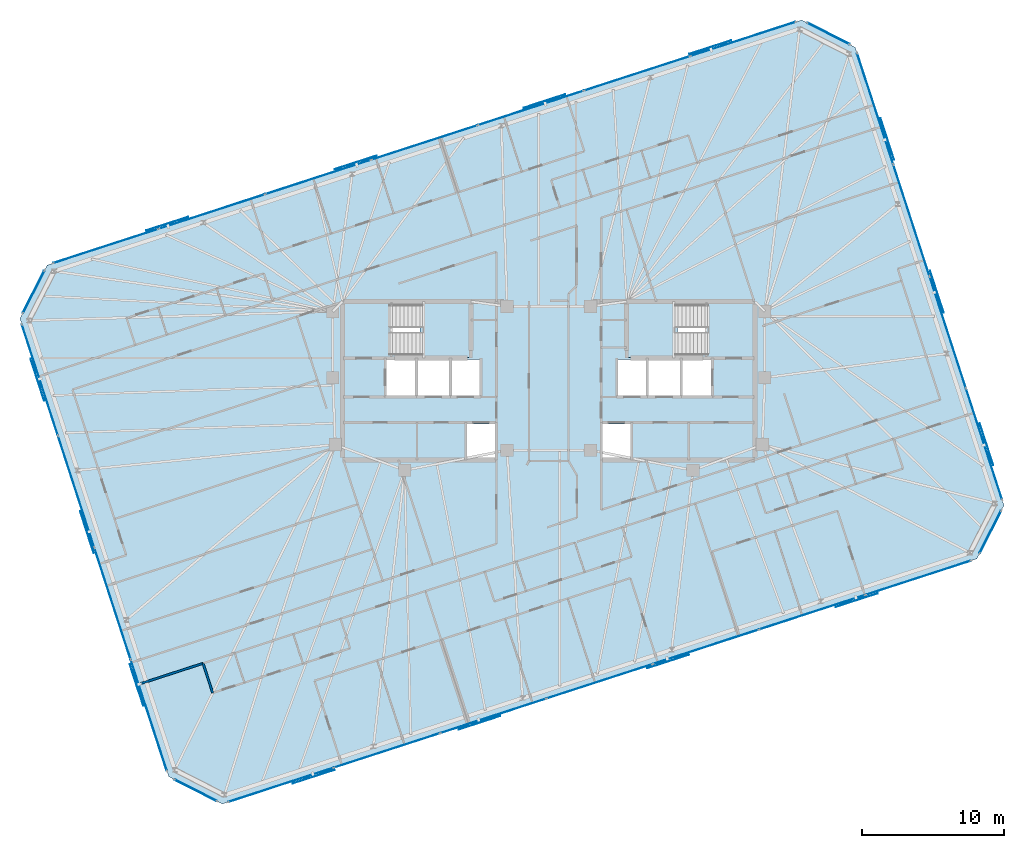
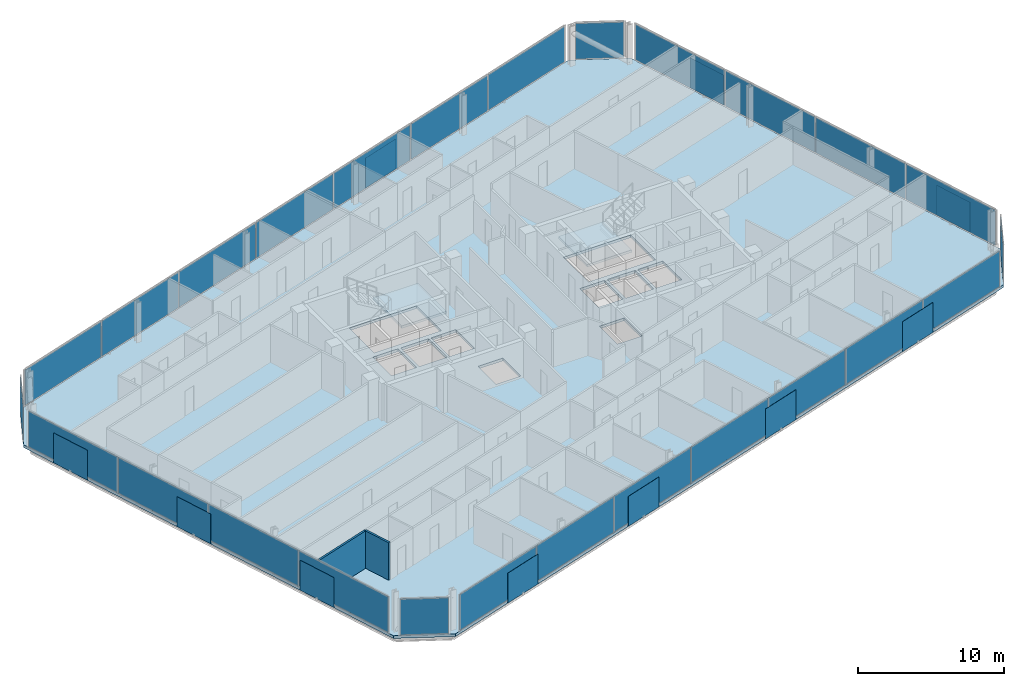
# One storey, part 12 of 20: 40 plates, 3 slabs, 2 walls, 10 elements without a shape of their own.
"""IFC4 building model written with IfcOpenShell, lengths in metres."""

from ifc_helpers import new_model, si_unit, direction, frame, frame_2d, origin, origin_2d, place, context, subcontext, project, spatial, polyline, rectangle, outline, extrude, material, layer, layer_set, type_object, element, aggregate, save


model = new_model("IFC4")

# Units and contexts
model_context = context("Model", 3, precision=1e-05, world=origin(), true_north=direction((0.0, 1.0)))
body_context = subcontext(model_context, "Body", "Model", "MODEL_VIEW")
ifc_project = project(units=[si_unit("LENGTHUNIT", "METRE"), si_unit("AREAUNIT", "SQUARE_METRE"), si_unit("VOLUMEUNIT", "CUBIC_METRE"), si_unit("PLANEANGLEUNIT", "RADIAN"), si_unit("MASSUNIT", "GRAM", prefix="KILO")], contexts=[model_context])

# Site, building, storey
site_placement = place(None, origin())
site = spatial("IfcSite", under=ifc_project, at=site_placement, CompositionType="ELEMENT")
building_placement = place(site_placement, origin())
building = spatial("IfcBuilding", under=site, at=building_placement, Name="Menara Jurai Vektor", CompositionType="ELEMENT")
storey_placement = place(building_placement, frame((0.0, 0.0, 227.64990234375)))
storey = spatial("IfcBuildingStorey", under=building, at=storey_placement, Name="L60", CompositionType="ELEMENT", Elevation=227.64990234375)

# Curtain wall, plates
ifc_material_1 = material(Name="Anodised Pale Aluminium & Low-E Double Glazing", Category="aluminium")
curtain_wall_type = type_object("IfcCurtainWallType", Name="CW-BLK4", PredefinedType="NOTDEFINED", material=ifc_material_1)
curtain_wall_1_placement = place(storey_placement, origin())
curtain_wall_1 = element("IfcCurtainWall", 1, at=curtain_wall_1_placement, inside=storey, type_object=curtain_wall_type, Name="Unitised Curtain Wall L60 F01", PredefinedType="NOTDEFINED")
ifc_material_2 = material(Name="Low-E Solar-Control Double Glazed Unit", Category="glass")
ifc_layer_1 = layer(ifc_material_2, 0.030029296875)
ifc_layer_set_1 = layer_set([ifc_layer_1], Name="Low-E Solar-Control Double Glazed Unit")
plate_type_1 = type_object("IfcPlateType", Name="CW-BLK4-PNL", PredefinedType="CURTAIN_PANEL", material=ifc_layer_set_1)
plate_1_placement = place(storey_placement, frame((-18.916259765625, -28.53076171875, 0.080078125), z_axis=(0.0, 0.0, 1.0), x_axis=(0.951056402641, 0.309017344167, 0.0)))
plate_1 = element("IfcPlate", 2, at=plate_1_placement, type_object=plate_type_1, Name="CW-04 panel 1.1", PredefinedType="CURTAIN_PANEL", context=body_context, shape_type="SweptSolid", body=[
    extrude(rectangle(XDim=7.771484375, YDim=0.030029296875, at=origin_2d()), origin(), (0.0, 0.0, 1.0), 2.965087890625),
])
plate_2_placement = place(storey_placement, frame((-11.429931640625, -26.098388671875, 0.080078125), z_axis=(0.0, 0.0, 1.0), x_axis=(0.951056402641, 0.309017344167, 0.0)))
plate_2 = element("IfcPlate", 3, at=plate_2_placement, type_object=plate_type_1, Name="CW-04 panel 2.1", PredefinedType="CURTAIN_PANEL", context=body_context, shape_type="SweptSolid", body=[
    extrude(rectangle(XDim=7.8115234375, YDim=0.030029296875, at=origin_2d()), origin(), (0.0, 0.0, 1.0), 2.965087890625),
])
plate_3_placement = place(storey_placement, frame((-3.9248046875, -23.65966796875, 0.080078125), z_axis=(0.0, 0.0, 1.0), x_axis=(0.951056402641, 0.309017344167, 0.0)))
plate_3 = element("IfcPlate", 4, at=plate_3_placement, type_object=plate_type_1, Name="CW-04 panel 3.1", PredefinedType="CURTAIN_PANEL", context=body_context, shape_type="SweptSolid", body=[
    extrude(rectangle(XDim=7.8115234375, YDim=0.030029296875, at=origin_2d()), origin(), (0.0, 0.0, 1.0), 2.965087890625),
])
plate_4_placement = place(storey_placement, frame((3.580322265625, -21.22119140625, 0.080078125), z_axis=(0.0, 0.0, 1.0), x_axis=(0.951056402641, 0.309017344167, 0.0)))
plate_4 = element("IfcPlate", 5, at=plate_4_placement, type_object=plate_type_1, Name="CW-04 panel 4.1", PredefinedType="CURTAIN_PANEL", context=body_context, shape_type="SweptSolid", body=[
    extrude(rectangle(XDim=7.8115234375, YDim=0.030029296875, at=origin_2d()), origin(), (0.0, 0.0, 1.0), 2.965087890625),
])
plate_5_placement = place(storey_placement, frame((11.08544921875, -18.782470703125, 0.080078125), z_axis=(0.0, 0.0, 1.0), x_axis=(0.951056402641, 0.309017344167, 0.0)))
plate_5 = element("IfcPlate", 6, at=plate_5_placement, type_object=plate_type_1, Name="CW-04 panel 5.1", PredefinedType="CURTAIN_PANEL", context=body_context, shape_type="SweptSolid", body=[
    extrude(rectangle(XDim=7.8115234375, YDim=0.030029296875, at=origin_2d()), origin(), (0.0, 0.0, 1.0), 2.965087890625),
])
plate_6_placement = place(storey_placement, frame((18.5908203125, -16.343994140625, 0.080078125), z_axis=(0.0, 0.0, 1.0), x_axis=(0.951056402641, 0.309017344167, 0.0)))
plate_6 = element("IfcPlate", 7, at=plate_6_placement, type_object=plate_type_1, Name="CW-04 panel 6.1", PredefinedType="CURTAIN_PANEL", context=body_context, shape_type="SweptSolid", body=[
    extrude(rectangle(XDim=7.8115234375, YDim=0.030029296875, at=origin_2d()), origin(), (0.0, 0.0, 1.0), 2.965087890625),
])
plate_7_placement = place(storey_placement, frame((26.076904296875, -13.91162109375, 0.080078125), z_axis=(0.0, 0.0, 1.0), x_axis=(0.951056402641, 0.309017344167, 0.0)))
plate_7 = element("IfcPlate", 8, at=plate_7_placement, type_object=plate_type_1, Name="CW-04 panel 7.1", PredefinedType="CURTAIN_PANEL", context=body_context, shape_type="SweptSolid", body=[
    extrude(rectangle(XDim=7.771484375, YDim=0.030029296875, at=origin_2d()), origin(), (0.0, 0.0, 1.0), 2.965087890625),
])
aggregate(curtain_wall_1, [plate_1, plate_2, plate_3, plate_4, plate_5, plate_6, plate_7])

curtain_wall_2_placement = place(storey_placement, origin())
curtain_wall_2 = element("IfcCurtainWall", 9, at=curtain_wall_2_placement, inside=storey, type_object=curtain_wall_type, Name="Unitised Curtain Wall L60 F03", PredefinedType="NOTDEFINED")
plate_8_placement = place(storey_placement, frame((30.728515625, -4.456298828125, 0.080078125), z_axis=(0.0, 0.0, 1.0), x_axis=(-0.309016481464, 0.95105668295, 0.0)))
plate_8 = element("IfcPlate", 10, at=plate_8_placement, type_object=plate_type_1, Name="CW-04 panel 1.1", PredefinedType="CURTAIN_PANEL", context=body_context, shape_type="SweptSolid", body=[
    extrude(rectangle(XDim=8.18994140625, YDim=0.030029296875, at=origin_2d()), origin(), (0.0, 0.0, 1.0), 2.965087890625),
])
plate_9_placement = place(storey_placement, frame((28.166748046875, 3.427978515625, 0.080078125), z_axis=(0.0, 0.0, 1.0), x_axis=(-0.309016481464, 0.95105668295, 0.0)))
plate_9 = element("IfcPlate", 11, at=plate_9_placement, type_object=plate_type_1, Name="CW-04 panel 2.1", PredefinedType="CURTAIN_PANEL", context=body_context, shape_type="SweptSolid", body=[
    extrude(rectangle(XDim=8.22998046875, YDim=0.030029296875, at=origin_2d()), origin(), (0.0, 0.0, 1.0), 2.965087890625),
])
plate_10_placement = place(storey_placement, frame((25.598876953125, 11.331298828125, 0.080078125), z_axis=(0.0, 0.0, 1.0), x_axis=(-0.309016481464, 0.95105668295, 0.0)))
plate_10 = element("IfcPlate", 12, at=plate_10_placement, type_object=plate_type_1, Name="CW-04 panel 3.1", PredefinedType="CURTAIN_PANEL", context=body_context, shape_type="SweptSolid", body=[
    extrude(rectangle(XDim=8.22998046875, YDim=0.030029296875, at=origin_2d()), origin(), (0.0, 0.0, 1.0), 2.965087890625),
])
plate_11_placement = place(storey_placement, frame((23.037109375, 19.21533203125, 0.080078125), z_axis=(0.0, 0.0, 1.0), x_axis=(-0.309016481464, 0.95105668295, 0.0)))
plate_11 = element("IfcPlate", 13, at=plate_11_placement, type_object=plate_type_1, Name="CW-04 panel 4.1", PredefinedType="CURTAIN_PANEL", context=body_context, shape_type="SweptSolid", body=[
    extrude(rectangle(XDim=8.18994140625, YDim=0.030029296875, at=origin_2d()), origin(), (0.0, 0.0, 1.0), 2.965087890625),
])
aggregate(curtain_wall_2, [plate_8, plate_9, plate_10, plate_11])

curtain_wall_3_placement = place(storey_placement, origin())
curtain_wall_3 = element("IfcCurtainWall", 14, at=curtain_wall_3_placement, inside=storey, type_object=curtain_wall_type, Name="Unitised Curtain Wall L60 F05", PredefinedType="NOTDEFINED")
plate_12_placement = place(storey_placement, frame((13.716064453125, 24.130615234375, 0.080078125), z_axis=(0.0, 0.0, 1.0), x_axis=(-0.951056402641, -0.309017344167, 0.0)))
plate_12 = element("IfcPlate", 15, at=plate_12_placement, type_object=plate_type_1, Name="CW-04 panel 1.1", PredefinedType="CURTAIN_PANEL", context=body_context, shape_type="SweptSolid", body=[
    extrude(rectangle(XDim=7.771484375, YDim=0.030029296875, at=origin_2d()), origin(), (0.0, 0.0, 1.0), 2.965087890625),
])
plate_13_placement = place(storey_placement, frame((6.22998046875, 21.6982421875, 0.080078125), z_axis=(0.0, 0.0, 1.0), x_axis=(-0.951056402641, -0.309017344167, 0.0)))
plate_13 = element("IfcPlate", 16, at=plate_13_placement, type_object=plate_type_1, Name="CW-04 panel 2.1", PredefinedType="CURTAIN_PANEL", context=body_context, shape_type="SweptSolid", body=[
    extrude(rectangle(XDim=7.8115234375, YDim=0.030029296875, at=origin_2d()), origin(), (0.0, 0.0, 1.0), 2.965087890625),
])
plate_14_placement = place(storey_placement, frame((-1.275146484375, 19.259765625, 0.080078125), z_axis=(0.0, 0.0, 1.0), x_axis=(-0.951056402641, -0.309017344167, 0.0)))
plate_14 = element("IfcPlate", 17, at=plate_14_placement, type_object=plate_type_1, Name="CW-04 panel 3.1", PredefinedType="CURTAIN_PANEL", context=body_context, shape_type="SweptSolid", body=[
    extrude(rectangle(XDim=7.8115234375, YDim=0.030029296875, at=origin_2d()), origin(), (0.0, 0.0, 1.0), 2.965087890625),
])
plate_15_placement = place(storey_placement, frame((-8.7802734375, 16.821044921875, 0.080078125), z_axis=(0.0, 0.0, 1.0), x_axis=(-0.951056402641, -0.309017344167, 0.0)))
plate_15 = element("IfcPlate", 18, at=plate_15_placement, type_object=plate_type_1, Name="CW-04 panel 4.1", PredefinedType="CURTAIN_PANEL", context=body_context, shape_type="SweptSolid", body=[
    extrude(rectangle(XDim=7.8115234375, YDim=0.030029296875, at=origin_2d()), origin(), (0.0, 0.0, 1.0), 2.965087890625),
])
plate_16_placement = place(storey_placement, frame((-16.28564453125, 14.382568359375, 0.080078125), z_axis=(0.0, 0.0, 1.0), x_axis=(-0.951056402641, -0.309017344167, 0.0)))
plate_16 = element("IfcPlate", 19, at=plate_16_placement, type_object=plate_type_1, Name="CW-04 panel 5.1", PredefinedType="CURTAIN_PANEL", context=body_context, shape_type="SweptSolid", body=[
    extrude(rectangle(XDim=7.8115234375, YDim=0.030029296875, at=origin_2d()), origin(), (0.0, 0.0, 1.0), 2.965087890625),
])
plate_17_placement = place(storey_placement, frame((-23.790771484375, 11.944091796875, 0.080078125), z_axis=(0.0, 0.0, 1.0), x_axis=(-0.951056402641, -0.309017344167, 0.0)))
plate_17 = element("IfcPlate", 20, at=plate_17_placement, type_object=plate_type_1, Name="CW-04 panel 6.1", PredefinedType="CURTAIN_PANEL", context=body_context, shape_type="SweptSolid", body=[
    extrude(rectangle(XDim=7.8115234375, YDim=0.030029296875, at=origin_2d()), origin(), (0.0, 0.0, 1.0), 2.965087890625),
])
plate_18_placement = place(storey_placement, frame((-31.27685546875, 9.511474609375, 0.080078125), z_axis=(0.0, 0.0, 1.0), x_axis=(-0.951056402641, -0.309017344167, 0.0)))
plate_18 = element("IfcPlate", 21, at=plate_18_placement, type_object=plate_type_1, Name="CW-04 panel 7.1", PredefinedType="CURTAIN_PANEL", context=body_context, shape_type="SweptSolid", body=[
    extrude(rectangle(XDim=7.771484375, YDim=0.030029296875, at=origin_2d()), origin(), (0.0, 0.0, 1.0), 2.965087890625),
])
aggregate(curtain_wall_3, [plate_12, plate_13, plate_14, plate_15, plate_16, plate_17, plate_18])

curtain_wall_4_placement = place(storey_placement, origin())
curtain_wall_4 = element("IfcCurtainWall", 22, at=curtain_wall_4_placement, inside=storey, type_object=curtain_wall_type, Name="Unitised Curtain Wall L60 F07", PredefinedType="NOTDEFINED")
plate_19_placement = place(storey_placement, frame((-35.928466796875, 0.056396484375, 0.080078125), z_axis=(0.0, 0.0, 1.0), x_axis=(0.309016481464, -0.95105668295, 0.0)))
plate_19 = element("IfcPlate", 23, at=plate_19_placement, type_object=plate_type_1, Name="CW-04 panel 1.1", PredefinedType="CURTAIN_PANEL", context=body_context, shape_type="SweptSolid", body=[
    extrude(rectangle(XDim=8.18994140625, YDim=0.030029296875, at=origin_2d()), origin(), (0.0, 0.0, 1.0), 2.965087890625),
])
plate_20_placement = place(storey_placement, frame((-33.36669921875, -7.827880859375, 0.080078125), z_axis=(0.0, 0.0, 1.0), x_axis=(0.309016481464, -0.95105668295, 0.0)))
plate_20 = element("IfcPlate", 24, at=plate_20_placement, type_object=plate_type_1, Name="CW-04 panel 2.1", PredefinedType="CURTAIN_PANEL", context=body_context, shape_type="SweptSolid", body=[
    extrude(rectangle(XDim=8.22998046875, YDim=0.030029296875, at=origin_2d()), origin(), (0.0, 0.0, 1.0), 2.965087890625),
])
plate_21_placement = place(storey_placement, frame((-30.798828125, -15.731201171875, 0.080078125), z_axis=(0.0, 0.0, 1.0), x_axis=(0.309016481464, -0.95105668295, 0.0)))
plate_21 = element("IfcPlate", 25, at=plate_21_placement, type_object=plate_type_1, Name="CW-04 panel 3.1", PredefinedType="CURTAIN_PANEL", context=body_context, shape_type="SweptSolid", body=[
    extrude(rectangle(XDim=8.22998046875, YDim=0.030029296875, at=origin_2d()), origin(), (0.0, 0.0, 1.0), 2.965087890625),
])
plate_22_placement = place(storey_placement, frame((-28.237060546875, -23.615478515625, 0.080078125), z_axis=(0.0, 0.0, 1.0), x_axis=(0.309016481464, -0.95105668295, 0.0)))
plate_22 = element("IfcPlate", 26, at=plate_22_placement, type_object=plate_type_1, Name="CW-04 panel 4.1", PredefinedType="CURTAIN_PANEL", context=body_context, shape_type="SweptSolid", body=[
    extrude(rectangle(XDim=8.18994140625, YDim=0.030029296875, at=origin_2d()), origin(), (0.0, 0.0, 1.0), 2.965087890625),
])
aggregate(curtain_wall_4, [plate_19, plate_20, plate_21, plate_22])

# Curtain wall, plate
curtain_wall_5_placement = place(storey_placement, origin())
curtain_wall_5 = element("IfcCurtainWall", 27, at=curtain_wall_5_placement, inside=storey, type_object=curtain_wall_type, Name="Unitised Curtain Wall L60 F02", PredefinedType="NOTDEFINED")
ifc_material_3 = material(Name="Insulated Pale Aluminium Spandrel Panel", Category="aluminium")
ifc_layer_2 = layer(ifc_material_3, 0.06005859375)
ifc_layer_set_2 = layer_set([ifc_layer_2], Name="Insulated Pale Aluminium Spandrel Panel")
plate_type_2 = type_object("IfcPlateType", Name="CW-PNL-SP", PredefinedType="CURTAIN_PANEL", material=ifc_layer_set_2)
plate_23_placement = place(storey_placement, frame((31.1728515625, -10.678466796875, 0.080078125), z_axis=(0.0, 0.0, 1.0), x_axis=(0.453988579828, 0.89100750243, 0.0)))
plate_23 = element("IfcPlate", 28, at=plate_23_placement, type_object=plate_type_2, Name="CW-04 panel 1.1", PredefinedType="CURTAIN_PANEL", context=body_context, shape_type="SweptSolid", body=[
    extrude(rectangle(XDim=3.32275390625, YDim=0.06005859375, at=origin_2d()), origin(), (0.0, 0.0, 1.0), 2.965087890625),
])
aggregate(curtain_wall_5, [plate_23])

curtain_wall_6_placement = place(storey_placement, origin())
curtain_wall_6 = element("IfcCurtainWall", 29, at=curtain_wall_6_placement, inside=storey, type_object=curtain_wall_type, Name="Unitised Curtain Wall L60 F04", PredefinedType="NOTDEFINED")
plate_24_placement = place(storey_placement, frame((19.7392578125, 24.510498046875, 0.080078125), z_axis=(0.0, 0.0, 1.0), x_axis=(-0.89100750243, 0.453988579828, 0.0)))
plate_24 = element("IfcPlate", 30, at=plate_24_placement, type_object=plate_type_2, Name="CW-04 panel 1.1", PredefinedType="CURTAIN_PANEL", context=body_context, shape_type="SweptSolid", body=[
    extrude(rectangle(XDim=3.32275390625, YDim=0.06005859375, at=origin_2d()), origin(), (0.0, 0.0, 1.0), 2.965087890625),
])
aggregate(curtain_wall_6, [plate_24])

curtain_wall_7_placement = place(storey_placement, origin())
curtain_wall_7 = element("IfcCurtainWall", 31, at=curtain_wall_7_placement, inside=storey, type_object=curtain_wall_type, Name="Unitised Curtain Wall L60 F06", PredefinedType="NOTDEFINED")
plate_25_placement = place(storey_placement, frame((-36.373046875, 6.278564453125, 0.080078125), z_axis=(0.0, 0.0, 1.0), x_axis=(-0.453988579828, -0.89100750243, 0.0)))
plate_25 = element("IfcPlate", 32, at=plate_25_placement, type_object=plate_type_2, Name="CW-04 panel 1.1", PredefinedType="CURTAIN_PANEL", context=body_context, shape_type="SweptSolid", body=[
    extrude(rectangle(XDim=3.32275390625, YDim=0.06005859375, at=origin_2d()), origin(), (0.0, 0.0, 1.0), 2.965087890625),
])
aggregate(curtain_wall_7, [plate_25])

curtain_wall_8_placement = place(storey_placement, origin())
curtain_wall_8 = element("IfcCurtainWall", 33, at=curtain_wall_8_placement, inside=storey, type_object=curtain_wall_type, Name="Unitised Curtain Wall L60 F08", PredefinedType="NOTDEFINED")
plate_26_placement = place(storey_placement, frame((-24.939453125, -28.91064453125, 0.080078125), z_axis=(0.0, 0.0, 1.0), x_axis=(0.89100750243, -0.453988579828, 0.0)))
plate_26 = element("IfcPlate", 34, at=plate_26_placement, type_object=plate_type_2, Name="CW-04 panel 1.1", PredefinedType="CURTAIN_PANEL", context=body_context, shape_type="SweptSolid", body=[
    extrude(rectangle(XDim=3.32275390625, YDim=0.06005859375, at=origin_2d()), origin(), (0.0, 0.0, 1.0), 2.965087890625),
])
aggregate(curtain_wall_8, [plate_26])

# Plates
ifc_material_4 = material(Name="Anodised Pale Aluminium Perforated Screen", Category="aluminium")
ifc_layer_3 = layer(ifc_material_4, 0.02197265625)
ifc_layer_set_3 = layer_set([ifc_layer_3], Name="Anodised Pale Aluminium Perforated Screen")
plate_type_3 = type_object("IfcPlateType", Name="ENV-PLT-SCREEN-HI", PredefinedType="USERDEFINED", material=ifc_layer_set_3)
for number, where, z_axis, x_axis, name in (
    (35, (-16.608642578125, -27.94921875, -0.0498046875), (0.0, 0.0, 1.0), (0.951056516295, 0.309016994375, 0.0), "Perforated Pale-Metal Solar Screen L60-S01"),
    (36, (-4.8916015625, -24.14208984375, -0.0498046875), (0.0, 0.0, 1.0), (0.951056516295, 0.309016994375, 0.0), "Perforated Pale-Metal Solar Screen L60-S02"),
    (37, (8.423095703125, -19.81591796875, -0.0498046875), (0.0, 0.0, 1.0), (0.951056516295, 0.309016994375, 0.0), "Perforated Pale-Metal Solar Screen L60-S03"),
    (38, (21.73779296875, -15.48974609375, -0.0498046875), (0.0, 0.0, 1.0), (0.951056516295, 0.309016994375, 0.0), "Perforated Pale-Metal Solar Screen L60-S04"),
    (39, (30.90478515625, -4.4814453125, -0.0498046875), (0.0, 0.0, 1.0), (-0.309016994375, 0.951056516295, 0.0), "Perforated Pale-Metal Solar Screen L60-S05"),
    (40, (27.402587890625, 6.297119140625, -0.0498046875), (0.0, 0.0, 1.0), (-0.309016994375, 0.951056516295, 0.0), "Perforated Pale-Metal Solar Screen L60-S06"),
    (41, (23.900390625, 17.075927734375, -0.0498046875), (0.0, 0.0, 1.0), (-0.309016994375, 0.951056516295, 0.0), "Perforated Pale-Metal Solar Screen L60-S07"),
    (42, (11.40869140625, 23.54931640625, -0.0498046875), (0.0, 0.0, 1.0), (-0.951056516295, -0.309016994375, 0.0), "Perforated Pale-Metal Solar Screen L60-S08"),
    (43, (-0.308349609375, 19.7421875, -0.0498046875), (0.0, 0.0, 1.0), (-0.951056516295, -0.309016994375, 0.0), "Perforated Pale-Metal Solar Screen L60-S09"),
    (44, (-13.623046875, 15.416015625, -0.0498046875), (0.0, 0.0, 1.0), (-0.951056516295, -0.309016994375, 0.0), "Perforated Pale-Metal Solar Screen L60-S10"),
    (45, (-26.93798828125, 11.089599609375, -0.0498046875), (0.0, 0.0, 1.0), (-0.951056516295, -0.309016994375, 0.0), "Perforated Pale-Metal Solar Screen L60-S11"),
    (46, (-36.104736328125, 0.081298828125, -0.0498046875), (0.0, 0.0, 1.0), (0.309016994375, -0.951056516295, 0.0), "Perforated Pale-Metal Solar Screen L60-S12"),
    (47, (-32.6025390625, -10.697265625, -0.0498046875), (0.0, 0.0, 1.0), (0.309016994375, -0.951056516295, 0.0), "Perforated Pale-Metal Solar Screen L60-S13"),
    (48, (-29.1005859375, -21.475830078125, -0.0498046875), (0.0, 0.0, 1.0), (0.309016994375, -0.951056516295, 0.0), "Perforated Pale-Metal Solar Screen L60-S14"),
):
    element("IfcPlate", number, at=place(storey_placement, frame(where, z_axis=z_axis, x_axis=x_axis)), inside=storey, type_object=plate_type_3, Name=name, ObjectType="SCREEN", PredefinedType="USERDEFINED", context=body_context, shape_type="SweptSolid", body=[
        extrude(rectangle(XDim=3.10009765625, YDim=0.02197265625, at=origin_2d()), origin(), (0.0, 0.0, 1.0), 2.5),
    ])

# Stair, slab
ifc_material_5 = material(Name="Concrete C40/50", Category="concrete")
stair_type = type_object("IfcStairType", Name="STAIR-DOGLEG-1500", PredefinedType="HALF_TURN_STAIR", material=ifc_material_5)
stair_1_placement = place(storey_placement, origin())
stair_1 = element("IfcStair", 49, at=stair_1_placement, inside=storey, type_object=stair_type, Name="Protected Exit Stair ST1 L60", PredefinedType="HALF_TURN_STAIR")
ifc_layer_4 = layer(ifc_material_5, 0.199951171875)
ifc_layer_set_4 = layer_set([ifc_layer_4], Name="Concrete C40/50")
slab_type_1 = type_object("IfcSlabType", Name="STAIR-LANDING-200", PredefinedType="LANDING", material=ifc_layer_set_4)
slab_1_placement = place(storey_placement, frame((0.0, 0.0, 1.47509765625)))
slab_1 = element("IfcSlab", 50, at=slab_1_placement, type_object=slab_type_1, Name="ST1 landing 1", PredefinedType="LANDING", context=body_context, shape_type="SweptSolid", body=[
    extrude(outline(polyline([(-9.080078125, 1.64990234375), (-5.550048828125, 1.64990234375), (-5.550048828125, 5.550048828125), (-9.080078125, 5.550048828125), (-9.080078125, 1.64990234375)])), origin(), (0.0, 0.0, 1.0), 0.199951171875),
])
aggregate(stair_1, [slab_1])

stair_2_placement = place(storey_placement, origin())
stair_2 = element("IfcStair", 51, at=stair_2_placement, inside=storey, type_object=stair_type, Name="Protected Exit Stair ST2 L60", PredefinedType="HALF_TURN_STAIR")
slab_2_placement = place(storey_placement, frame((0.0, 0.0, 1.47509765625)))
slab_2 = element("IfcSlab", 52, at=slab_2_placement, type_object=slab_type_1, Name="ST2 landing 1", PredefinedType="LANDING", context=body_context, shape_type="SweptSolid", body=[
    extrude(outline(polyline([(5.550048828125, 1.64990234375), (9.080078125, 1.64990234375), (9.080078125, 5.550048828125), (5.550048828125, 5.550048828125), (5.550048828125, 1.64990234375)])), origin(), (0.0, 0.0, 1.0), 0.199951171875),
])
aggregate(stair_2, [slab_2])

# Slab
ifc_layer_5 = layer(ifc_material_5, 0.22509765625)
ifc_layer_set_5 = layer_set([ifc_layer_5], Name="Concrete C40/50")
slab_type_2 = type_object("IfcSlabType", Name="STR-SLAB-TYP200", PredefinedType="FLOOR", material=ifc_layer_set_5)
slab_3_placement = place(storey_placement, frame((0.0, 0.0, -0.224853515625)))
element("IfcSlab", 53, at=slab_3_placement, inside=storey, type_object=slab_type_2, Name="Composite Floor Slab L60", PredefinedType="FLOOR", context=body_context, shape_type="SweptSolid", body=[
    extrude(outline(polyline([(-23.04931640625, -29.87353515625), (30.2099609375, -12.568603515625), (32.135986328125, -8.788330078125), (21.62939453125, 23.547607421875), (17.84912109375, 25.4736328125), (-35.409912109375, 8.168701171875), (-37.3359375, 4.388427734375), (-26.82958984375, -27.947509765625), (-23.04931640625, -29.87353515625)]), holes=[polyline([(-11.10009765625, 1.89990234375), (-11.10009765625, 5.300048828125), (-5.800048828125, 5.300048828125), (-5.800048828125, 1.89990234375), (-11.10009765625, 1.89990234375)]), polyline([(5.800048828125, 1.89990234375), (5.800048828125, 5.300048828125), (11.10009765625, 5.300048828125), (11.10009765625, 1.89990234375), (5.800048828125, 1.89990234375)]), polyline([(-11.449951171875, -1.050048828125), (-11.449951171875, 1.5), (-9.449951171875, 1.5), (-9.449951171875, -1.050048828125), (-11.449951171875, -1.050048828125)]), polyline([(9.449951171875, -1.050048828125), (9.449951171875, 1.5), (11.449951171875, 1.5), (11.449951171875, -1.050048828125), (9.449951171875, -1.050048828125)]), polyline([(-5.760009765625, -5.5), (-5.760009765625, -3.050048828125), (-3.800048828125, -3.050048828125), (-3.800048828125, -5.5), (-5.760009765625, -5.5)]), polyline([(-6.85009765625, -1.050048828125), (-6.85009765625, 1.5), (-4.889892578125, 1.5), (-4.889892578125, -1.050048828125), (-6.85009765625, -1.050048828125)]), polyline([(3.800048828125, -5.5), (3.800048828125, -3.050048828125), (5.760009765625, -3.050048828125), (5.760009765625, -5.5), (3.800048828125, -5.5)]), polyline([(4.889892578125, -1.050048828125), (4.889892578125, 1.5), (6.85009765625, 1.5), (6.85009765625, -1.050048828125), (4.889892578125, -1.050048828125)]), polyline([(-9.25, -1.050048828125), (-9.25, 1.5), (-7.050048828125, 1.5), (-7.050048828125, -1.050048828125), (-9.25, -1.050048828125)]), polyline([(7.050048828125, -1.050048828125), (7.050048828125, 1.5), (9.25, 1.5), (9.25, -1.050048828125), (7.050048828125, -1.050048828125)])]), origin(), (0.0, 0.0, 1.0), 0.224853515625),
])

# Walls
ifc_material_6 = material(Name="Gypsum Fireboard Partition", Category="gypsum")
ifc_layer_6 = layer(ifc_material_6, 0.14990234375)
ifc_layer_set_6 = layer_set([ifc_layer_6], Name="Gypsum Fireboard Partition")
wall_type = type_object("IfcWallType", Name="INT-WALL-CORR-150", PredefinedType="PARTITIONING", material=ifc_layer_set_6)
wall_1_placement = place(storey_placement, frame((-28.949951171875, -21.42138671875, 0.0), z_axis=(0.0, 0.0, 1.0), x_axis=(0.951049476022, 0.309038661268, 0.0)))
element("IfcWall", 54, at=wall_1_placement, inside=storey, type_object=wall_type, Name="Interior Wall IW-150 L60", PredefinedType="PARTITIONING", context=body_context, shape_type="SweptSolid", body=[
    extrude(rectangle(XDim=4.77392578125, YDim=0.14990234375, at=frame_2d((2.386962890625, 0.0))), origin(), (0.0, 0.0, 1.0), 3.125),
])
wall_2_placement = place(storey_placement, frame((-23.729736328125, -22.038330078125, 0.0), z_axis=(0.0, 0.0, 1.0), x_axis=(-0.309060979314, 0.951042223598, 0.0)))
element("IfcWall", 55, at=wall_2_placement, inside=storey, type_object=wall_type, Name="Interior Wall IW-150 L60", PredefinedType="PARTITIONING", context=body_context, shape_type="SweptSolid", body=[
    extrude(rectangle(XDim=2.199951171875, YDim=0.14990234375, at=frame_2d((1.10009765625, 0.0))), origin(), (0.0, 0.0, 1.0), 3.125),
])

save(model, "model.ifc")
